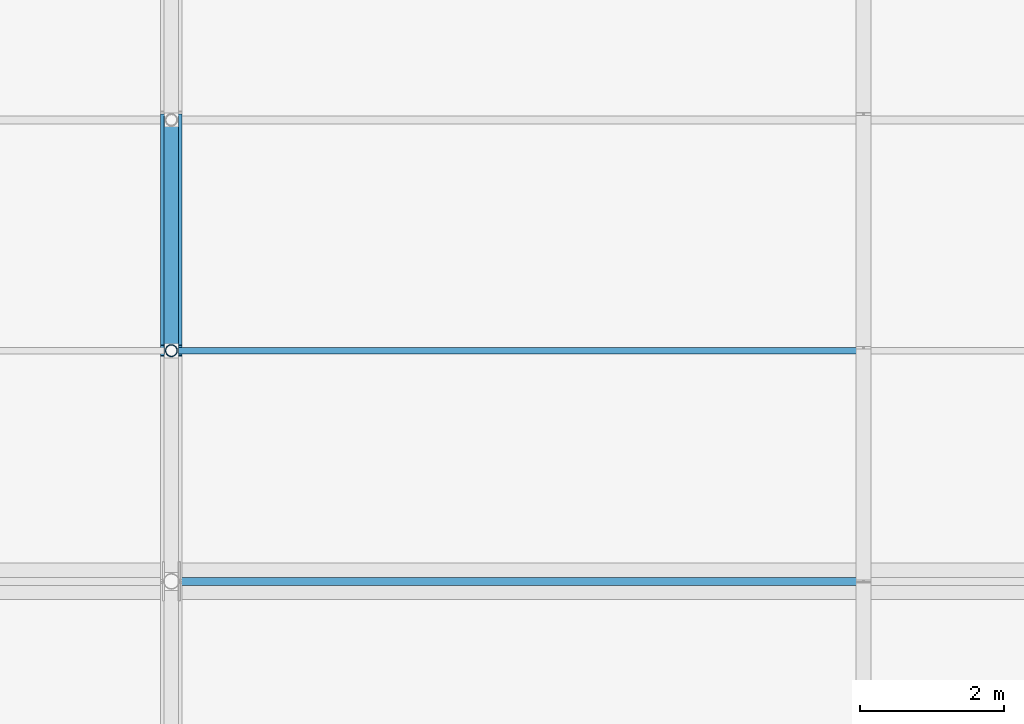
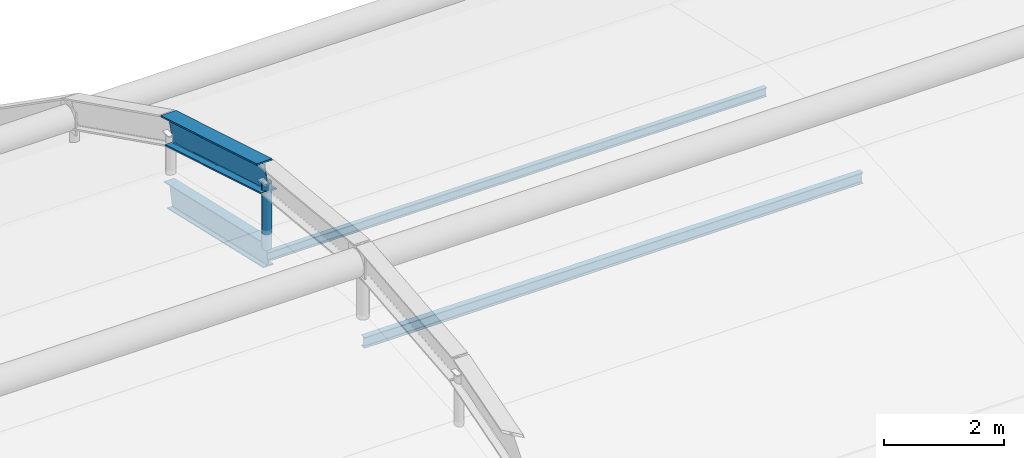
# One storey, part 63 of 126: 3 members, 2 beams.
"""IFC4 building model written with IfcOpenShell, lengths in metres."""

from ifc_helpers import new_model, si_unit, direction, frame, origin, origin_2d, place, context, subcontext, project, spatial, hollow_circle, i_section, extrude, material, material_profile, profile_set, type_object, element, save


model = new_model("IFC4")

# Units and contexts
model_context = context("Model", 3, precision=1e-05, world=origin(), true_north=direction((0.0, 1.0)))
body_context = subcontext(model_context, "Body", "Model", "MODEL_VIEW")
ifc_project = project(units=[si_unit("LENGTHUNIT", "METRE"), si_unit("AREAUNIT", "SQUARE_METRE"), si_unit("VOLUMEUNIT", "CUBIC_METRE"), si_unit("PLANEANGLEUNIT", "RADIAN"), si_unit("MASSUNIT", "GRAM", prefix="KILO")], contexts=[model_context])

# Site, building, storey
site_placement = place(None, origin())
site = spatial("IfcSite", under=ifc_project, at=site_placement, CompositionType="ELEMENT")
building_placement = place(site_placement, origin())
building = spatial("IfcBuilding", under=site, at=building_placement, Name="Coralgate Yard Interchange", CompositionType="ELEMENT")
storey_placement = place(building_placement, frame((0.0, 0.0, 10.5)))
storey = spatial("IfcBuildingStorey", under=building, at=storey_placement, Name="L02", CompositionType="ELEMENT", Elevation=10.5)

# Beams
ifc_material_1 = material(Name="Yellow-ochre weather-coated structural steel S355J2", Category="steel")
ifc_material_profile_1 = material_profile(ifc_material_1, i_section(OverallWidth=0.300048828125, OverallDepth=0.550048828125, WebThickness=0.014892578125, FlangeThickness=0.029052734375, FilletRadius=0.027099609375, at=origin_2d()), Name="HEB 550")
ifc_profile_set_1 = profile_set([ifc_material_profile_1], Name="Yellow-ochre weather-coated structural steel S355J2")
beam_type_1 = type_object("IfcBeamType", Name="BM-AR-2", PredefinedType="BEAM", material=ifc_profile_set_1)
beam_1_placement = place(storey_placement, frame((105.60009765625, 60.800048828125, 12.880615234375), z_axis=(0.0, 0.957948903279, -0.286938841403), x_axis=(-1.0, 0.0, 0.0)))
element("IfcBeam", 1, at=beam_1_placement, inside=storey, type_object=beam_type_1, Name="Yellow-ochre overarching steel arch AR-4 chord 9", PredefinedType="BEAM", context=body_context, shape_type="SweptSolid", body=[
    extrude(i_section(OverallWidth=0.300048828125, OverallDepth=0.550048828125, WebThickness=0.014892578125, FlangeThickness=0.029052734375, FilletRadius=0.027099609375, at=origin_2d()), origin(), (0.0, 0.0, 1.0), 3.34033203125),
])
ifc_material_2 = material(Name="Weather-coated structural steel S355J2", Category="steel")
ifc_material_profile_2 = material_profile(ifc_material_2, i_section(OverallWidth=0.199951171875, OverallDepth=0.5, WebThickness=0.01025390625, FlangeThickness=0.01611328125, FilletRadius=0.02099609375, at=origin_2d()), Name="IPE 500")
ifc_profile_set_2 = profile_set([ifc_material_profile_2], Name="Weather-coated structural steel S355J2")
beam_type_2 = type_object("IfcBeamType", Name="BM-VR-2", PredefinedType="BEAM", material=ifc_profile_set_2)
beam_2_placement = place(storey_placement, frame((105.60009765625, 60.800048828125, 11.335205078125), z_axis=(0.0, 0.974613791, -0.22389273859), x_axis=(-1.0, 0.0, 0.0)))
element("IfcBeam", 2, at=beam_2_placement, inside=storey, type_object=beam_type_2, Name="Barrel-vault gridshell rib 8 seg 8", PredefinedType="BEAM", context=body_context, shape_type="SweptSolid", body=[
    extrude(i_section(OverallWidth=0.199951171875, OverallDepth=0.5, WebThickness=0.01025390625, FlangeThickness=0.01611328125, FilletRadius=0.02099609375, at=origin_2d()), origin(), (0.0, 0.0, 1.0), 3.283203125),
])

# Members
ifc_material_profile_3 = material_profile(ifc_material_1, hollow_circle(Radius=0.084228515625, WallThickness=0.008056640625, at=origin_2d()), Name="CHS 168.3x8")
ifc_profile_set_3 = profile_set([ifc_material_profile_3], Name="Yellow-ochre weather-coated structural steel S355J2")
member_type_1 = type_object("IfcMemberType", Name="MB-HG-2", PredefinedType="STRUT", material=ifc_profile_set_3)
member_1_placement = place(storey_placement, frame((105.60009765625, 60.800048828125, 11.435302734375), z_axis=(0.0, 0.0, 1.0), x_axis=(1.0, 0.0, 0.0)))
element("IfcMember", 3, at=member_1_placement, inside=storey, type_object=member_type_1, Name="Arch AR-4 steel suspension hanger 7", PredefinedType="STRUT", context=body_context, shape_type="SweptSolid", body=[
    extrude(hollow_circle(Radius=0.084228515625, WallThickness=0.008056640625, at=origin_2d()), origin(), (0.0, 0.0, 1.0), 1.34521484375),
])
ifc_material_profile_4 = material_profile(ifc_material_2, i_section(OverallWidth=0.110107421875, OverallDepth=0.219970703125, WebThickness=0.005859375, FlangeThickness=0.00927734375, FilletRadius=0.011962890625, at=origin_2d()), Name="IPE 220")
ifc_profile_set_4 = profile_set([ifc_material_profile_4], Name="Weather-coated structural steel S355J2")
member_type_2 = type_object("IfcMemberType", Name="MB-PR-1", PredefinedType="PURLIN", material=ifc_profile_set_4)
member_2_placement = place(storey_placement, frame((105.60205078125, 57.60009765625, 11.46484375), z_axis=(1.0, 0.0, 0.0), x_axis=(0.0, 1.0, 0.0)))
element("IfcMember", 4, at=member_2_placement, inside=storey, type_object=member_type_2, Name="Barrel-vault gridshell purlin 8-7", PredefinedType="PURLIN", context=body_context, shape_type="SweptSolid", body=[
    extrude(i_section(OverallWidth=0.110107421875, OverallDepth=0.219970703125, WebThickness=0.005859375, FlangeThickness=0.00927734375, FilletRadius=0.011962890625, at=origin_2d()), origin(), (0.0, 0.0, 1.0), 9.595947265625),
])
ifc_material_3 = material(Name="Off-white architectural structural steel S355J2", Category="steel")
ifc_material_profile_5 = material_profile(ifc_material_3, i_section(OverallWidth=0.091064453125, OverallDepth=0.179931640625, WebThickness=0.00537109375, FlangeThickness=0.008056640625, FilletRadius=0.009033203125, at=origin_2d()), Name="IPE 180")
ifc_profile_set_5 = profile_set([ifc_material_profile_5], Name="Off-white architectural structural steel S355J2")
member_type_3 = type_object("IfcMemberType", Name="MB-PR-2", PredefinedType="PURLIN", material=ifc_profile_set_5)
member_3_placement = place(storey_placement, frame((105.60205078125, 60.800048828125, 11.265380859375), z_axis=(1.0, 0.0, 0.0), x_axis=(0.0, 1.0, 0.0)))
element("IfcMember", 5, at=member_3_placement, inside=storey, type_object=member_type_3, Name="Barrel-vault gridshell purlin 8-8", PredefinedType="PURLIN", context=body_context, shape_type="SweptSolid", body=[
    extrude(i_section(OverallWidth=0.091064453125, OverallDepth=0.179931640625, WebThickness=0.00537109375, FlangeThickness=0.008056640625, FilletRadius=0.009033203125, at=origin_2d()), origin(), (0.0, 0.0, 1.0), 9.595947265625),
])

save(model, "model.ifc")
